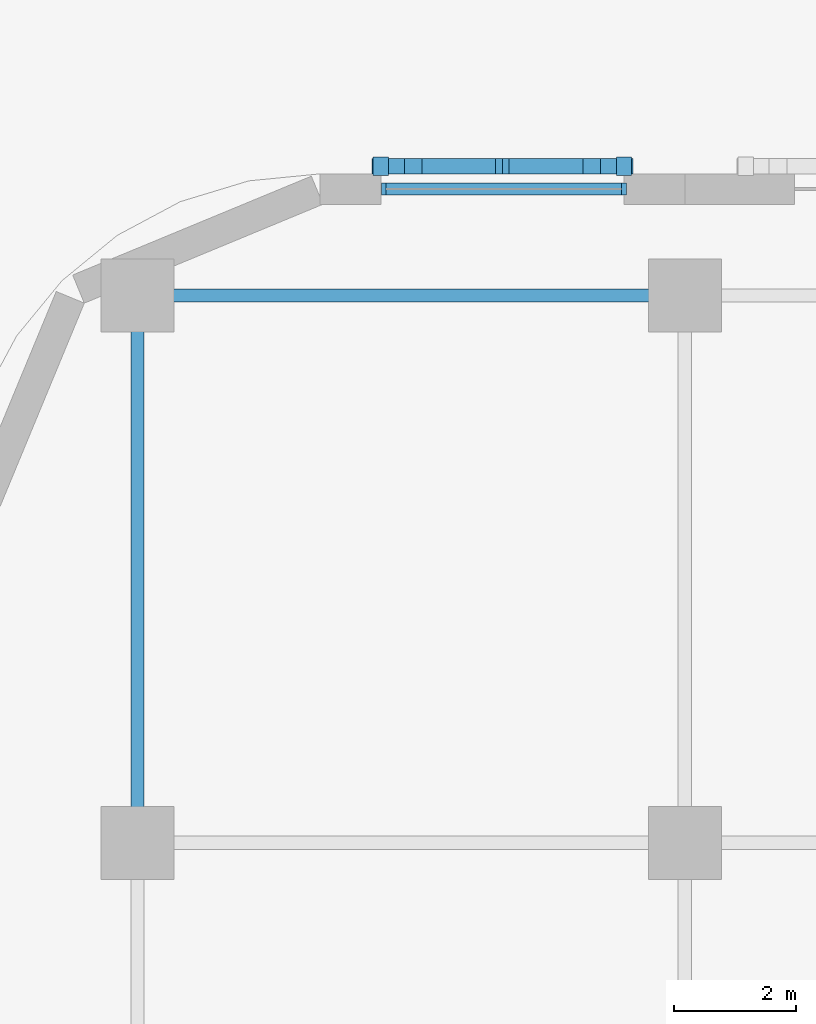
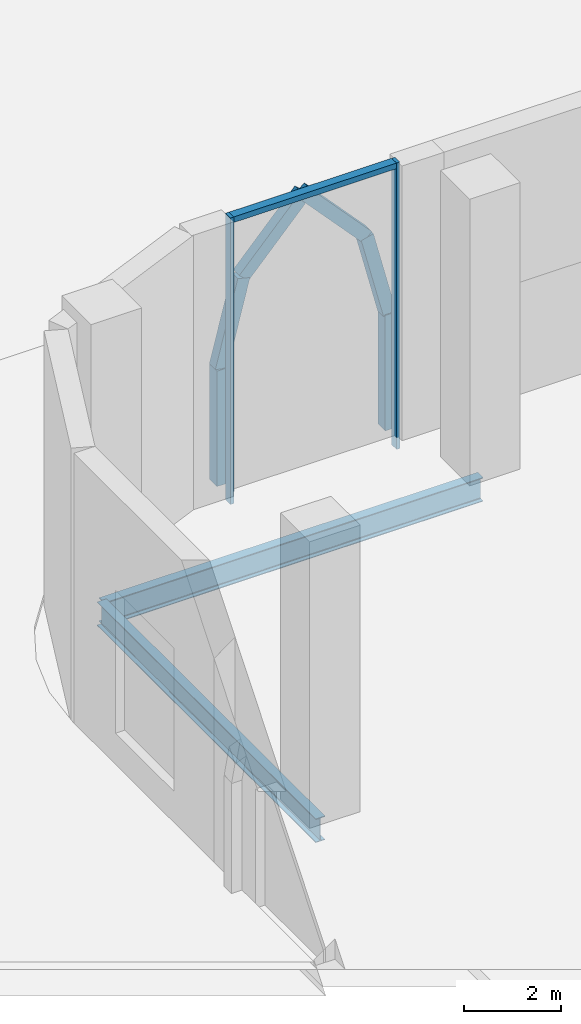
# One storey, part 7 of 48: 9 members, 2 beams, 1 element without a shape of its own.
"""IFC4 building model written with IfcOpenShell, lengths in metres."""

import ifcopenshell
import ifcopenshell.guid

model = None  # the IFC model being written
_history = None  # IfcOwnerHistory: only IFC2X3 demands one
_inside = {}  # id of a spatial element -> (the spatial element, [elements in it])
_under = {}  # id of a project, library or spatial element -> (it, [spatial elements below it])
_declared = {}  # id of a project -> (the project, [libraries it declares])
_typed = {}  # id of a type object -> (the type object, [elements of that type])
_made_of = {}  # id of a material, layer set ... -> (it, [elements and type objects made of it])


def new_model(schema):
    """Start an empty IFC model of exactly this schema.

    Asked for "IFC4X3", IfcOpenShell would pick the latest addendum, in which some entities
    have other attributes; the version numbers below select the first issue.
    IFC2X3 requires an IfcOwnerHistory on every rooted entity: one is made here for all.
    """
    global model, _history
    if schema == "IFC4X3":
        model = ifcopenshell.file(schema_version=(4, 3, 0, 0))
    else:
        model = ifcopenshell.file(schema=schema)
    _inside.clear()
    _under.clear()
    _declared.clear()
    _typed.clear()
    _made_of.clear()
    _history = None
    if model.schema == "IFC2X3":
        org = make("IfcOrganization", Name="unknown")
        user = make(
            "IfcPersonAndOrganization",
            ThePerson=make("IfcPerson", FamilyName="unknown"),
            TheOrganization=org,
        )
        app = make(
            "IfcApplication",
            ApplicationDeveloper=org,
            Version="unknown",
            ApplicationFullName="unknown",
            ApplicationIdentifier="unknown",
        )
        _history = make(
            "IfcOwnerHistory",
            OwningUser=user,
            OwningApplication=app,
            ChangeAction="ADDED",
            CreationDate=0,
        )
    return model


def make(cls, **values):
    """One entity of the class cls with the attributes given. An attribute that is None is left unset."""
    return model.create_entity(
        cls, **{name: value for name, value in values.items() if value is not None}
    )


def rooted(cls, **values):
    """An entity with a GlobalId (a new one), such as an element, a storey or a relation."""
    return make(cls, GlobalId=ifcopenshell.guid.new(), OwnerHistory=_history, **values)


def si_unit(unit_type, name, prefix=None):
    """IfcSIUnit, for example si_unit("LENGTHUNIT", "METRE", prefix="MILLI")."""
    return make("IfcSIUnit", UnitType=unit_type, Prefix=prefix, Name=name)


def assignment(units):
    """IfcUnitAssignment: the units of a project."""
    return None if units is None else make("IfcUnitAssignment", Units=units)


def point(xyz):
    """IfcCartesianPoint."""
    return None if xyz is None else make("IfcCartesianPoint", Coordinates=xyz)


def direction(xyz):
    """IfcDirection."""
    return None if xyz is None else make("IfcDirection", DirectionRatios=xyz)


def frame(location, z_axis=None, x_axis=None):
    """IfcAxis2Placement3D, a coordinate frame: its origin and axes. An axis left out is left unset."""
    return make(
        "IfcAxis2Placement3D",
        Location=point(location),
        Axis=direction(z_axis),
        RefDirection=direction(x_axis),
    )


def frame_2d(location, x_axis=None):
    """IfcAxis2Placement2D, a coordinate frame in the plane: its origin and x axis."""
    return make(
        "IfcAxis2Placement2D", Location=point(location), RefDirection=direction(x_axis)
    )


def origin():
    """The frame at (0, 0, 0) with its axes left unset."""
    return frame((0.0, 0.0, 0.0))


def origin_2d():
    """The frame at (0, 0) in the plane with its x axis left unset."""
    return frame_2d((0.0, 0.0))


def place(relative_to, where):
    """IfcLocalPlacement: puts the frame where relative to a parent placement (None: the world)."""
    return make(
        "IfcLocalPlacement", PlacementRelTo=relative_to, RelativePlacement=where
    )


def context(
    kind, dimensions, precision=None, world=None, true_north=None, identifier=None
):
    """IfcGeometricRepresentationContext, for example the 3D "Model" context."""
    return make(
        "IfcGeometricRepresentationContext",
        ContextIdentifier=identifier,
        ContextType=kind,
        CoordinateSpaceDimension=dimensions,
        Precision=precision,
        WorldCoordinateSystem=world,
        TrueNorth=true_north,
    )


def subcontext(parent, identifier, kind, view, scale=None):
    """IfcGeometricRepresentationSubContext, for example "Body" below "Model"."""
    return make(
        "IfcGeometricRepresentationSubContext",
        ContextIdentifier=identifier,
        ContextType=kind,
        ParentContext=parent,
        TargetScale=scale,
        TargetView=view,
    )


def project(units=None, contexts=None):
    """IfcProject with its units and contexts."""
    return rooted(
        "IfcProject",
        Name="project",
        RepresentationContexts=contexts,
        UnitsInContext=assignment(units),
    )


def spatial(cls, under=None, at=None, **own):
    """A site, building, storey or space (cls), placed at a placement, below another one or the project."""
    s = rooted(cls, ObjectPlacement=at, **own)
    if under is not None:
        _under.setdefault(under.id(), (under, []))[1].append(s)
    return s


def profile(cls, at=None, kind="AREA", **sizes):
    """A parametric profile (cls). Its sizes go by their IFC names, for example OverallWidth=200.0."""
    return make(cls, ProfileType=kind, Position=at, **sizes)


def rectangle(**sizes):
    """IfcRectangleProfileDef."""
    return profile("IfcRectangleProfileDef", **sizes)


def i_section(**sizes):
    """IfcIShapeProfileDef."""
    return profile("IfcIShapeProfileDef", **sizes)


def extrude(swept, where, along, depth):
    """IfcExtrudedAreaSolid: the profile swept, set in the frame where, extruded along a direction by depth."""
    return make(
        "IfcExtrudedAreaSolid",
        SweptArea=swept,
        Position=where,
        ExtrudedDirection=direction(along),
        Depth=depth,
    )


def shape(context_of_items, identifier, shape_type, items):
    """IfcShapeRepresentation: the items that make up one representation, for example the "Body"."""
    return make(
        "IfcShapeRepresentation",
        ContextOfItems=context_of_items,
        RepresentationIdentifier=identifier,
        RepresentationType=shape_type,
        Items=items,
    )


def material(Name=None, Category=None):
    """IfcMaterial."""
    return make("IfcMaterial", Name=Name, Category=Category)


def material_profile(
    of_material, cross_section, Name=None, Category=None, Priority=None
):
    """IfcMaterialProfile: a cross section and its material."""
    return make(
        "IfcMaterialProfile",
        Name=Name,
        Material=of_material,
        Profile=cross_section,
        Priority=Priority,
        Category=Category,
    )


def profile_set(profiles, Name=None, composite=None):
    """IfcMaterialProfileSet."""
    return make(
        "IfcMaterialProfileSet",
        Name=Name,
        MaterialProfiles=profiles,
        CompositeProfile=composite,
    )


def made_of(thing, what):
    """Note that an element or type object is made of a material, layer set ...; save() writes the relation."""
    if what is not None:
        _made_of.setdefault(what.id(), (what, []))[1].append(thing)
    return thing


def type_object(cls, material=None, **own):
    """A type object (cls), such as IfcWallType, which elements share."""
    return made_of(rooted(cls, **own), material)


def element(
    cls,
    number,
    at=None,
    inside=None,
    cuts=None,
    type_object=None,
    material=None,
    context=None,
    identifier="Body",
    shape_type=None,
    held_by="IfcProductDefinitionShape",
    body=None,
    shapes=None,
    **own,
):
    """One element of the class cls, such as IfcWall. Its Tag is "e" and its number.

    at: its placement. inside: the storey or other place that contains it. cuts: it is an
    opening in that element (IfcRelVoidsElement). A single representation is given by context,
    identifier, shape_type and body (its items); several are given by shapes. held_by: the class
    of the entity that holds the representations. save() writes the other relations.
    """
    e = rooted(cls, Tag="e%d" % number, ObjectPlacement=at, **own)
    if body is not None:
        shapes = [shape(context, identifier, shape_type, body)]
    if shapes is not None:
        e.Representation = make(held_by, Representations=shapes)
    if inside is not None:
        _inside.setdefault(inside.id(), (inside, []))[1].append(e)
    if cuts is not None:
        rooted(
            "IfcRelVoidsElement", RelatingBuildingElement=cuts, RelatedOpeningElement=e
        )
    if type_object is not None:
        _typed.setdefault(type_object.id(), (type_object, []))[1].append(e)
    return made_of(e, material)


def aggregate(whole, parts):
    """IfcRelAggregates: a whole, such as a stair, and the parts it consists of."""
    return rooted("IfcRelAggregates", RelatingObject=whole, RelatedObjects=parts)


def save(model, path):
    """Write the relations noted so far, then the file.

    IfcRelAggregates (storeys below a building ...), IfcRelContainedInSpatialStructure (elements
    in a storey), IfcRelDefinesByType, IfcRelAssociatesMaterial and IfcRelDeclares: one each for
    every whole, place, type object, material and project.
    """
    for whole, parts in _under.values():
        aggregate(whole, parts)
    for where, things in _inside.values():
        rooted(
            "IfcRelContainedInSpatialStructure",
            RelatedElements=things,
            RelatingStructure=where,
        )
    for kind, things in _typed.values():
        rooted("IfcRelDefinesByType", RelatedObjects=things, RelatingType=kind)
    for what, things in _made_of.values():
        rooted("IfcRelAssociatesMaterial", RelatedObjects=things, RelatingMaterial=what)
    for by, libraries in _declared.values():
        rooted("IfcRelDeclares", RelatingContext=by, RelatedDefinitions=libraries)
    model.write(path)


model = new_model("IFC4")

# Units and contexts
model_context = context("Model", 3, precision=1e-05, world=origin(), true_north=direction((0.0, 1.0)))
body_context = subcontext(model_context, "Body", "Model", "MODEL_VIEW")
ifc_project = project(units=[si_unit("LENGTHUNIT", "METRE"), si_unit("AREAUNIT", "SQUARE_METRE"), si_unit("VOLUMEUNIT", "CUBIC_METRE"), si_unit("PLANEANGLEUNIT", "RADIAN"), si_unit("MASSUNIT", "GRAM", prefix="KILO")], contexts=[model_context])

# Site, building, storey
site_placement = place(None, origin())
site = spatial("IfcSite", under=ifc_project, at=site_placement, CompositionType="ELEMENT")
building_placement = place(site_placement, origin())
building = spatial("IfcBuilding", under=site, at=building_placement, Name="Ogive Gate Towers", CompositionType="ELEMENT")
storey_placement = place(building_placement, origin())
storey = spatial("IfcBuildingStorey", under=building, at=storey_placement, Name="L00", CompositionType="ELEMENT", Elevation=0.0)

# Members
ifc_material_1 = material(Name="Precast concrete C40/50", Category="concrete")
ifc_material_profile_1 = material_profile(ifc_material_1, rectangle(XDim=0.25, YDim=0.300048828125, at=origin_2d()), Name="250 x 300 cast stone")
ifc_profile_set_1 = profile_set([ifc_material_profile_1], Name="Precast concrete C40/50")
member_type_1 = type_object("IfcMemberType", Name="Arch rib 250 x 300", PredefinedType="USERDEFINED", material=ifc_profile_set_1)
member_1_placement = place(storey_placement, frame((-64.0, 38.125, 0.0), z_axis=(0.0, 0.0, 1.0), x_axis=(1.0, 0.0, 0.0)))
element("IfcMember", 1, at=member_1_placement, inside=storey, type_object=member_type_1, Name="Arcade arch rib", ObjectType="ARCH RIB", PredefinedType="USERDEFINED", context=body_context, shape_type="SweptSolid", body=[
    extrude(rectangle(XDim=0.25, YDim=0.300048828125, at=origin_2d()), origin(), (0.0, 0.0, 1.0), 2.89990234375),
])
for number, where, z_axis, x_axis, name in (
    (2, (-64.0, 38.125, 2.89990234375), (-0.245931792163, 0.0, 0.969287136819), (0.0, -1.0, 0.0), "Arcade arch rib"),
    (3, (-64.5322265625, 38.125, 4.99755859375), (-0.678223875113, 0.0, 0.734855343062), (0.0, -1.0, 0.0), "Arcade arch rib"),
):
    element("IfcMember", number, at=place(storey_placement, frame(where, z_axis=z_axis, x_axis=x_axis)), inside=storey, type_object=member_type_1, Name=name, ObjectType="ARCH RIB", PredefinedType="USERDEFINED", context=body_context, shape_type="SweptSolid", body=[
        extrude(rectangle(XDim=0.25, YDim=0.300048828125, at=origin_2d()), origin(), (0.0, 0.0, 1.0), 2.1640625),
    ])
member_2_placement = place(storey_placement, frame((-68.0, 38.125, 0.0), z_axis=(0.0, 0.0, 1.0), x_axis=(1.0, 0.0, 0.0)))
element("IfcMember", 4, at=member_2_placement, inside=storey, type_object=member_type_1, Name="Arcade arch rib", ObjectType="ARCH RIB", PredefinedType="USERDEFINED", context=body_context, shape_type="SweptSolid", body=[
    extrude(rectangle(XDim=0.25, YDim=0.300048828125, at=origin_2d()), origin(), (0.0, 0.0, 1.0), 2.89990234375),
])
for number, where, z_axis, x_axis, name in (
    (5, (-68.0, 38.125, 2.89990234375), (0.245931792163, 0.0, 0.969287136819), (0.0, 1.0, 0.0), "Arcade arch rib"),
    (6, (-67.4677734375, 38.125, 4.99755859375), (0.678223875113, 0.0, 0.734855343062), (0.0, 1.0, 0.0), "Arcade arch rib"),
):
    element("IfcMember", number, at=place(storey_placement, frame(where, z_axis=z_axis, x_axis=x_axis)), inside=storey, type_object=member_type_1, Name=name, ObjectType="ARCH RIB", PredefinedType="USERDEFINED", context=body_context, shape_type="SweptSolid", body=[
        extrude(rectangle(XDim=0.25, YDim=0.300048828125, at=origin_2d()), origin(), (0.0, 0.0, 1.0), 2.1640625),
    ])

# Beams
ifc_material_2 = material(Name="Steel SM355", Category="steel")
ifc_material_profile_2 = material_profile(ifc_material_2, i_section(OverallWidth=0.219970703125, OverallDepth=0.60009765625, WebThickness=0.011962890625, FlangeThickness=0.01904296875, FilletRadius=0.02392578125, at=origin_2d()), Name="IPE 600")
ifc_profile_set_2 = profile_set([ifc_material_profile_2], Name="Steel SM355")
beam_type = type_object("IfcBeamType", Name="Floor beam IPE 600", PredefinedType="BEAM", material=ifc_profile_set_2)
for number, where, z_axis, x_axis, name in (
    (7, (-72.0, 27.0, -0.60009765625), (0.0, 1.0, 0.0), (-1.0, 0.0, 0.0), "PD/L00/SBM008"),
    (8, (-72.0, 36.0, -0.60009765625), (1.0, 0.0, 0.0), (0.0, 1.0, 0.0), "PD/L00/SBM137"),
):
    element("IfcBeam", number, at=place(storey_placement, frame(where, z_axis=z_axis, x_axis=x_axis)), inside=storey, type_object=beam_type, Name=name, PredefinedType="BEAM", context=body_context, shape_type="SweptSolid", body=[
        extrude(i_section(OverallWidth=0.219970703125, OverallDepth=0.60009765625, WebThickness=0.011962890625, FlangeThickness=0.01904296875, FilletRadius=0.02392578125, at=origin_2d()), origin(), (0.0, 0.0, 1.0), 9.0),
    ])

# Curtain wall, members
ifc_material_3 = material(Name="Pale metal aluminium", Category="aluminium")
curtain_wall_type = type_object("IfcCurtainWallType", Name="Podium glazing", PredefinedType="NOTDEFINED", material=ifc_material_3)
curtain_wall_placement = place(storey_placement, origin())
curtain_wall = element("IfcCurtainWall", 9, at=curtain_wall_placement, inside=storey, type_object=curtain_wall_type, Name="CW6 PD ECW06", PredefinedType="NOTDEFINED")
ifc_material_profile_3 = material_profile(ifc_material_3, rectangle(XDim=0.199951171875, YDim=0.080078125, at=origin_2d()), Name="80 x 200 aluminium box")
ifc_profile_set_3 = profile_set([ifc_material_profile_3], Name="Pale metal aluminium")
member_type_2 = type_object("IfcMemberType", Name="Podium glazing mullion 80 x 200", PredefinedType="MULLION", material=ifc_profile_set_3)
member_3_placement = place(storey_placement, frame((-64.0, 37.75, -0.300048828125), z_axis=(0.0, 0.0, 1.0), x_axis=(0.0, 1.0, 0.0)))
member_3 = element("IfcMember", 10, at=member_3_placement, type_object=member_type_2, Name="CW6 mullion", PredefinedType="MULLION", context=body_context, shape_type="SweptSolid", body=[
    extrude(rectangle(XDim=0.199951171875, YDim=0.080078125, at=origin_2d()), origin(), (0.0, 0.0, 1.0), 7.199951171875),
])
member_4_placement = place(storey_placement, frame((-67.9501953125, 37.75, -0.300048828125), z_axis=(0.0, 0.0, 1.0), x_axis=(0.0, 1.0, 0.0)))
member_4 = element("IfcMember", 11, at=member_4_placement, type_object=member_type_2, Name="CW6 mullion", PredefinedType="MULLION", context=body_context, shape_type="SweptSolid", body=[
    extrude(rectangle(XDim=0.199951171875, YDim=0.080078125, at=origin_2d()), origin(), (0.0, 0.0, 1.0), 7.199951171875),
])
ifc_material_profile_4 = material_profile(ifc_material_3, rectangle(XDim=0.199951171875, YDim=0.139892578125, at=origin_2d()), Name="140 x 200 aluminium box")
ifc_profile_set_4 = profile_set([ifc_material_profile_4], Name="Pale metal aluminium")
member_type_3 = type_object("IfcMemberType", Name="Podium glazing transom 140 x 200", PredefinedType="USERDEFINED", material=ifc_profile_set_4)
member_5_placement = place(storey_placement, frame((-64.0400390625, 37.75, 6.830078125), z_axis=(-1.0, 0.0, 0.0), x_axis=(0.0, -1.0, 0.0)))
member_5 = element("IfcMember", 12, at=member_5_placement, type_object=member_type_3, Name="CW6 transom", ObjectType="TRANSOM", PredefinedType="USERDEFINED", context=body_context, shape_type="SweptSolid", body=[
    extrude(rectangle(XDim=0.199951171875, YDim=0.139892578125, at=origin_2d()), origin(), (0.0, 0.0, 1.0), 3.870361328125),
])
aggregate(curtain_wall, [member_3, member_4, member_5])

save(model, "model.ifc")
